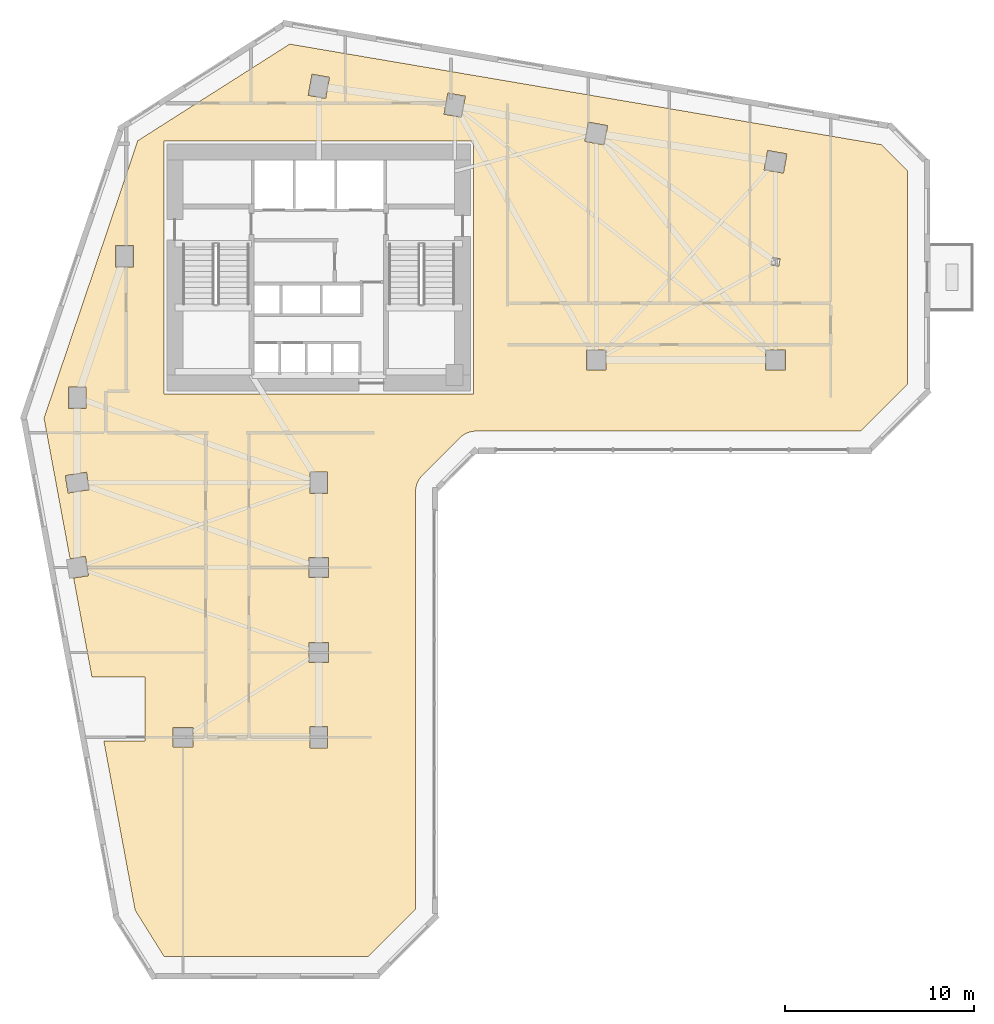
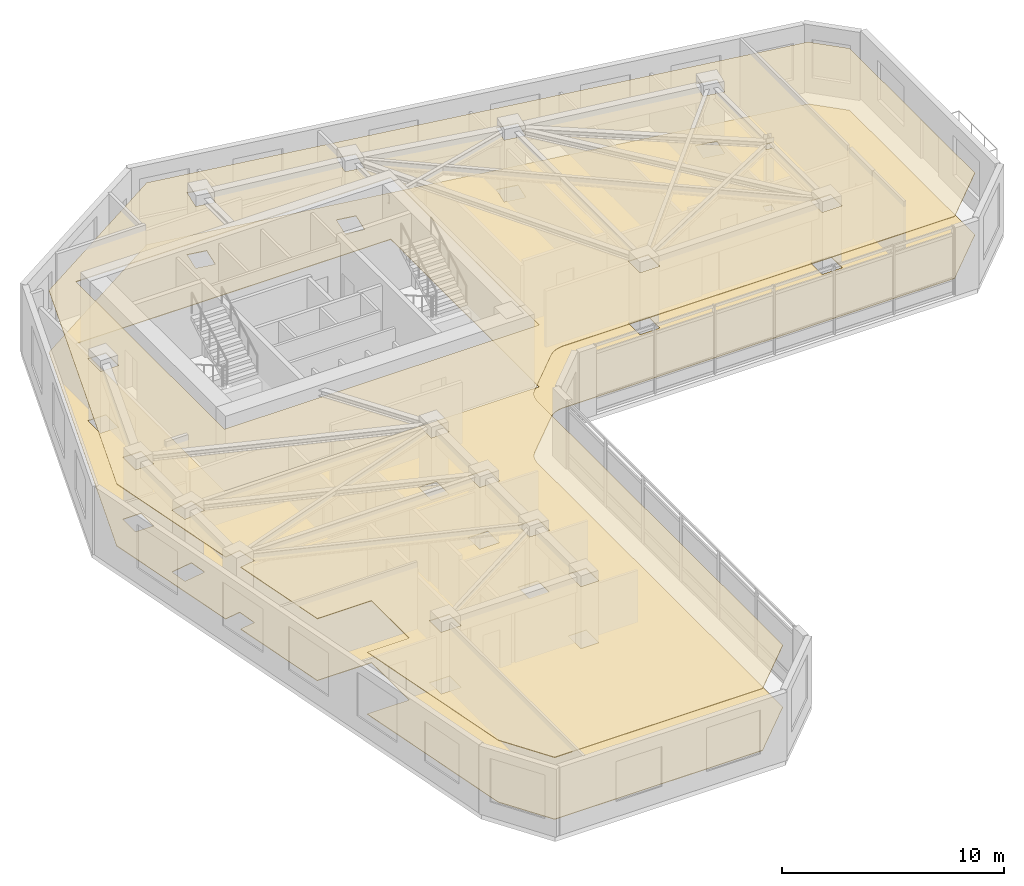
# One storey, part 9 of 11: 2 coverings.
"""IFC4 building model written with IfcOpenShell, lengths in metres."""

from ifc_helpers import new_model, si_unit, direction, frame, origin, place, context, subcontext, project, spatial, polyline, outline, extrude, material, layer, layer_set, type_object, element, save


model = new_model("IFC4")

# Units and contexts
model_context = context("Model", 3, precision=1e-05, world=origin(), true_north=direction((0.0, 1.0)))
body_context = subcontext(model_context, "Body", "Model", "MODEL_VIEW")
ifc_project = project(units=[si_unit("LENGTHUNIT", "METRE"), si_unit("AREAUNIT", "SQUARE_METRE"), si_unit("VOLUMEUNIT", "CUBIC_METRE"), si_unit("PLANEANGLEUNIT", "RADIAN"), si_unit("MASSUNIT", "GRAM", prefix="KILO")], contexts=[model_context])

# Site, building, storey
site_placement = place(None, origin())
site = spatial("IfcSite", under=ifc_project, at=site_placement, CompositionType="ELEMENT")
building_placement = place(site_placement, origin())
building = spatial("IfcBuilding", under=site, at=building_placement, Name="Calvemar Wedge Station Tower", CompositionType="ELEMENT")
storey_placement = place(building_placement, frame((0.0, 0.0, 79.0)))
storey = spatial("IfcBuildingStorey", under=building, at=storey_placement, Name="L19", CompositionType="ELEMENT", Elevation=79.0)

# Coverings
ifc_material_1 = material(Name="Acoustic mineral fibre ceiling board")
ifc_layer_1 = layer(ifc_material_1, 0.0400390625)
ifc_layer_set_1 = layer_set([ifc_layer_1], Name="Acoustic mineral fibre ceiling board")
covering_type_1 = type_object("IfcCoveringType", Name="COV-CEIL-ACOUSTIC", PredefinedType="CEILING", material=ifc_layer_set_1)
covering_1_placement = place(storey_placement, frame((0.0, 0.0, 3.39990234375)))
element("IfcCovering", 1, at=covering_1_placement, inside=storey, type_object=covering_type_1, Name="Storey L19 Acoustic Suspended Ceiling", PredefinedType="CEILING", context=body_context, shape_type="SweptSolid", body=[
    extrude(outline(polyline([(29.279541015625, 28.87646484375), (31.279541015625, 30.87646484375), (31.36669921875, 30.95556640625), (31.461181640625, 31.02587890625), (31.562255859375, 31.086181640625), (31.668701171875, 31.13671875), (31.77978515625, 31.17626953125), (31.893798828125, 31.204833984375), (32.010498046875, 31.22216796875), (32.1279296875, 31.22802734375), (52.5029296875, 31.22802734375), (55.0, 33.72509765625), (55.0, 45.031005859375), (53.621826171875, 46.408935546875), (22.25439453125, 51.739501953125), (14.201416015625, 46.614990234375), (9.23681640625, 31.911865234375), (10.6162109375, 24.465087890625), (11.43115234375, 24.595703125), (11.595703125, 23.56884765625), (10.805908203125, 23.4423828125), (11.777099609375, 18.199951171875), (14.60009765625, 18.199951171875), (14.60009765625, 14.800048828125), (12.406982421875, 14.800048828125), (14.06640625, 5.8427734375), (15.593017578125, 3.39990234375), (26.430908203125, 3.39990234375), (28.927978515625, 5.897216796875), (28.927978515625, 28.028076171875), (28.933837890625, 28.1455078125), (28.951171875, 28.26220703125), (28.979736328125, 28.376220703125), (29.019287109375, 28.4873046875), (29.069580078125, 28.59375), (29.130126953125, 28.694580078125), (29.200439453125, 28.789306640625), (29.279541015625, 28.87646484375)]), holes=[polyline([(15.60009765625, 46.60009765625), (32.0, 46.60009765625), (32.0, 33.199951171875), (15.60009765625, 33.199951171875), (15.60009765625, 46.60009765625)]), polyline([(10.530029296875, 32.429931640625), (10.530029296875, 33.570068359375), (11.469970703125, 33.570068359375), (11.469970703125, 32.429931640625), (10.530029296875, 32.429931640625)]), polyline([(13.030029296875, 41.070068359375), (13.969970703125, 41.070068359375), (13.969970703125, 39.929931640625), (13.030029296875, 39.929931640625), (13.030029296875, 41.070068359375)]), polyline([(24.363525390625, 49.977783203125), (24.16162109375, 48.855712890625), (23.236572265625, 49.022216796875), (23.4384765625, 50.144287109375), (24.363525390625, 49.977783203125)]), polyline([(31.361572265625, 47.855712890625), (30.4365234375, 48.022216796875), (30.638427734375, 49.144287109375), (31.5634765625, 48.977783203125), (31.361572265625, 47.855712890625)]), polyline([(37.89599609375, 46.580322265625), (38.080322265625, 47.60400390625), (39.10400390625, 47.419677734375), (38.919677734375, 46.39599609375), (37.89599609375, 46.580322265625)]), polyline([(47.580322265625, 46.10400390625), (48.60400390625, 45.919677734375), (48.419677734375, 44.89599609375), (47.39599609375, 45.080322265625), (47.580322265625, 46.10400390625)]), polyline([(39.02001953125, 35.52001953125), (39.02001953125, 34.47998046875), (37.97998046875, 34.47998046875), (37.97998046875, 35.52001953125), (39.02001953125, 35.52001953125)]), polyline([(48.52001953125, 34.47998046875), (47.47998046875, 34.47998046875), (47.47998046875, 35.52001953125), (48.52001953125, 35.52001953125), (48.52001953125, 34.47998046875)]), polyline([(47.759765625, 40.033935546875), (47.832763671875, 40.439453125), (48.240234375, 40.3662109375), (48.167236328125, 39.960693359375), (47.759765625, 40.033935546875)]), polyline([(11.488525390625, 29.05419921875), (11.63720703125, 28.126220703125), (10.511474609375, 27.94580078125), (10.36279296875, 28.873779296875), (11.488525390625, 29.05419921875)]), polyline([(24.27001953125, 27.929931640625), (23.330078125, 27.929931640625), (23.330078125, 29.070068359375), (24.27001953125, 29.070068359375), (24.27001953125, 27.929931640625)]), polyline([(23.280029296875, 23.47998046875), (23.280029296875, 24.52001953125), (24.320068359375, 24.52001953125), (24.320068359375, 23.47998046875), (23.280029296875, 23.47998046875)]), polyline([(23.280029296875, 20.02001953125), (24.320068359375, 20.02001953125), (24.320068359375, 18.97998046875), (23.280029296875, 18.97998046875), (23.280029296875, 20.02001953125)]), polyline([(24.27001953125, 15.570068359375), (24.27001953125, 14.429931640625), (23.330078125, 14.429931640625), (23.330078125, 15.570068359375), (24.27001953125, 15.570068359375)]), polyline([(17.1201171875, 14.47998046875), (16.080078125, 14.47998046875), (16.080078125, 15.52001953125), (17.1201171875, 15.52001953125), (17.1201171875, 14.47998046875)])]), origin(), (0.0, 0.0, 1.0), 0.0400390625),
])
ifc_material_2 = material(Name="Commercial raised access floor")
ifc_layer_2 = layer(ifc_material_2, 0.030029296875)
ifc_layer_set_2 = layer_set([ifc_layer_2], Name="Commercial raised access floor")
covering_type_2 = type_object("IfcCoveringType", Name="COV-FLR-RAISED", PredefinedType="FLOORING", material=ifc_layer_set_2)
covering_2_placement = place(storey_placement, origin())
element("IfcCovering", 2, at=covering_2_placement, inside=storey, type_object=covering_type_2, Name="Storey L19 Architectural Floor Finish", PredefinedType="FLOORING", context=body_context, shape_type="SweptSolid", body=[
    extrude(outline(polyline([(29.279541015625, 28.87646484375), (31.279541015625, 30.87646484375), (31.36669921875, 30.95556640625), (31.461181640625, 31.02587890625), (31.562255859375, 31.086181640625), (31.668701171875, 31.13671875), (31.77978515625, 31.17626953125), (31.893798828125, 31.204833984375), (32.010498046875, 31.22216796875), (32.1279296875, 31.22802734375), (52.5029296875, 31.22802734375), (55.0, 33.72509765625), (55.0, 45.031005859375), (53.621826171875, 46.408935546875), (22.25439453125, 51.739501953125), (14.201416015625, 46.614990234375), (9.23681640625, 31.911865234375), (10.6162109375, 24.465087890625), (11.43115234375, 24.595703125), (11.595703125, 23.56884765625), (10.805908203125, 23.4423828125), (11.777099609375, 18.199951171875), (14.60009765625, 18.199951171875), (14.60009765625, 14.800048828125), (12.406982421875, 14.800048828125), (14.06640625, 5.8427734375), (15.593017578125, 3.39990234375), (26.430908203125, 3.39990234375), (28.927978515625, 5.897216796875), (28.927978515625, 28.028076171875), (28.933837890625, 28.1455078125), (28.951171875, 28.26220703125), (28.979736328125, 28.376220703125), (29.019287109375, 28.4873046875), (29.069580078125, 28.59375), (29.130126953125, 28.694580078125), (29.200439453125, 28.789306640625), (29.279541015625, 28.87646484375)]), holes=[polyline([(15.60009765625, 46.60009765625), (32.0, 46.60009765625), (32.0, 33.199951171875), (15.60009765625, 33.199951171875), (15.60009765625, 46.60009765625)]), polyline([(10.530029296875, 32.429931640625), (10.530029296875, 33.570068359375), (11.469970703125, 33.570068359375), (11.469970703125, 32.429931640625), (10.530029296875, 32.429931640625)]), polyline([(13.030029296875, 41.070068359375), (13.969970703125, 41.070068359375), (13.969970703125, 39.929931640625), (13.030029296875, 39.929931640625), (13.030029296875, 41.070068359375)]), polyline([(24.363525390625, 49.977783203125), (24.16162109375, 48.855712890625), (23.236572265625, 49.022216796875), (23.4384765625, 50.144287109375), (24.363525390625, 49.977783203125)]), polyline([(31.361572265625, 47.855712890625), (30.4365234375, 48.022216796875), (30.638427734375, 49.144287109375), (31.5634765625, 48.977783203125), (31.361572265625, 47.855712890625)]), polyline([(37.89599609375, 46.580322265625), (38.080322265625, 47.60400390625), (39.10400390625, 47.419677734375), (38.919677734375, 46.39599609375), (37.89599609375, 46.580322265625)]), polyline([(47.580322265625, 46.10400390625), (48.60400390625, 45.919677734375), (48.419677734375, 44.89599609375), (47.39599609375, 45.080322265625), (47.580322265625, 46.10400390625)]), polyline([(39.02001953125, 35.52001953125), (39.02001953125, 34.47998046875), (37.97998046875, 34.47998046875), (37.97998046875, 35.52001953125), (39.02001953125, 35.52001953125)]), polyline([(48.52001953125, 34.47998046875), (47.47998046875, 34.47998046875), (47.47998046875, 35.52001953125), (48.52001953125, 35.52001953125), (48.52001953125, 34.47998046875)]), polyline([(47.759765625, 40.033935546875), (47.832763671875, 40.439453125), (48.240234375, 40.3662109375), (48.167236328125, 39.960693359375), (47.759765625, 40.033935546875)]), polyline([(11.488525390625, 29.05419921875), (11.63720703125, 28.126220703125), (10.511474609375, 27.94580078125), (10.36279296875, 28.873779296875), (11.488525390625, 29.05419921875)]), polyline([(24.27001953125, 27.929931640625), (23.330078125, 27.929931640625), (23.330078125, 29.070068359375), (24.27001953125, 29.070068359375), (24.27001953125, 27.929931640625)]), polyline([(23.280029296875, 23.47998046875), (23.280029296875, 24.52001953125), (24.320068359375, 24.52001953125), (24.320068359375, 23.47998046875), (23.280029296875, 23.47998046875)]), polyline([(23.280029296875, 20.02001953125), (24.320068359375, 20.02001953125), (24.320068359375, 18.97998046875), (23.280029296875, 18.97998046875), (23.280029296875, 20.02001953125)]), polyline([(24.27001953125, 15.570068359375), (24.27001953125, 14.429931640625), (23.330078125, 14.429931640625), (23.330078125, 15.570068359375), (24.27001953125, 15.570068359375)]), polyline([(17.1201171875, 14.47998046875), (16.080078125, 14.47998046875), (16.080078125, 15.52001953125), (17.1201171875, 15.52001953125), (17.1201171875, 14.47998046875)])]), origin(), (0.0, 0.0, 1.0), 0.030029296875),
])

save(model, "model.ifc")
